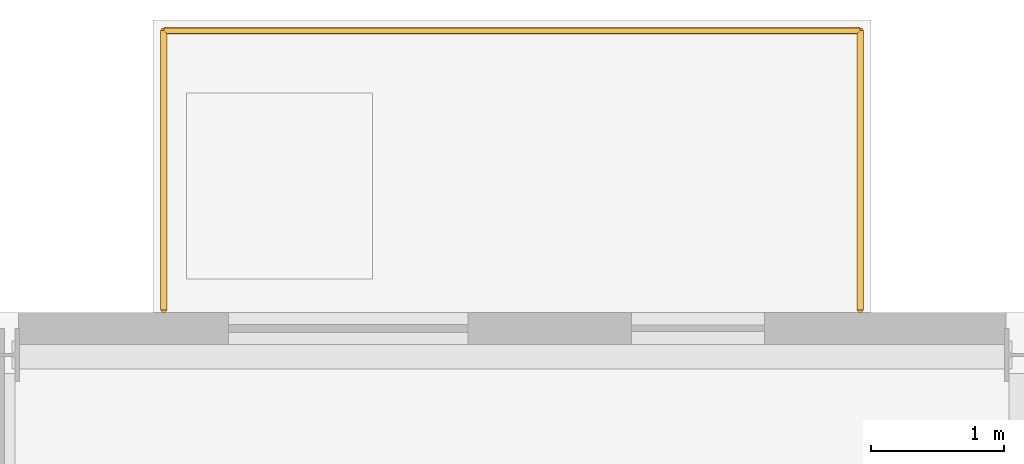
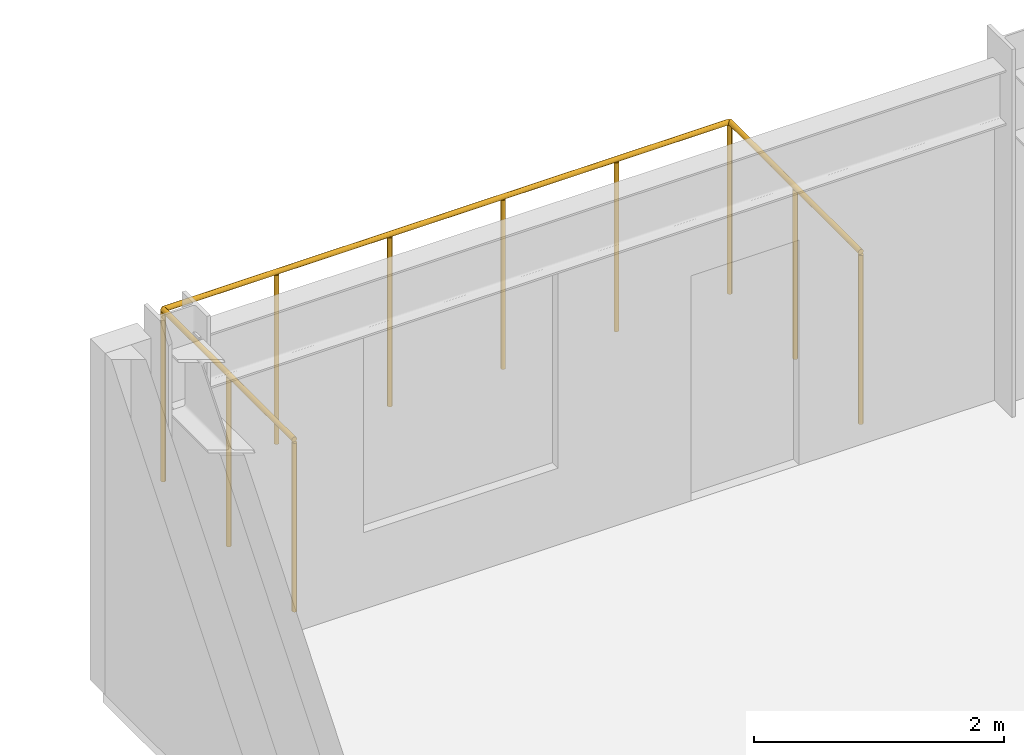
# One storey, part 32 of 32: 1 railing.
"""IFC4 building model written with IfcOpenShell, lengths in metres."""

from ifc_helpers import new_model, si_unit, direction, frame, origin, origin_2d, place, context, subcontext, project, spatial, circle, extrude, material, type_object, element, save


model = new_model("IFC4")

# Units and contexts
model_context = context("Model", 3, precision=1e-05, world=origin(), true_north=direction((0.0, 1.0)))
body_context = subcontext(model_context, "Body", "Model", "MODEL_VIEW")
ifc_project = project(units=[si_unit("LENGTHUNIT", "METRE"), si_unit("AREAUNIT", "SQUARE_METRE"), si_unit("VOLUMEUNIT", "CUBIC_METRE"), si_unit("PLANEANGLEUNIT", "RADIAN"), si_unit("MASSUNIT", "GRAM", prefix="KILO")], contexts=[model_context])

# Site, building, storey
site_placement = place(None, origin())
site = spatial("IfcSite", under=ifc_project, at=site_placement, CompositionType="ELEMENT")
building_placement = place(site_placement, origin())
building = spatial("IfcBuilding", under=site, at=building_placement, Name="Drelvath Grand Hotel", CompositionType="ELEMENT")
storey_placement = place(building_placement, frame((0.0, 0.0, 223.10009765625)))
storey = spatial("IfcBuildingStorey", under=building, at=storey_placement, Name="L58", CompositionType="ELEMENT", Elevation=223.10009765625)

# Railing
ifc_material = material(Name="Anodised Aluminium and Laminated Glass Balustrade", Category="aluminium")
railing_type = type_object("IfcRailingType", Name="Raised Planter Edge Balustrade 1700", PredefinedType="BALUSTRADE", material=ifc_material)
railing_placement = place(storey_placement, frame((-14.919921875, 49.219970703125, 0.0)))
element("IfcRailing", 1, at=railing_placement, inside=storey, type_object=railing_type, Name="L58 Tree Balcony Perimeter Balustrade 1", PredefinedType="BALUSTRADE", context=body_context, shape_type="SweptSolid", body=[
    extrude(circle(Radius=0.02392578125, at=origin_2d()), frame((0.0, 0.0, 1.67578125), z_axis=(0.0, 1.0, 0.0), x_axis=(-1.0, 0.0, 0.0)), (0.0, 0.0, 1.0), 2.10009765625),
    extrude(circle(Radius=0.02392578125, at=origin_2d()), frame((0.0, 2.10009765625, 1.67578125), z_axis=(1.0, 0.0, 0.0), x_axis=(0.0, 1.0, 0.0)), (0.0, 0.0, 1.0), 5.239990234375),
    extrude(circle(Radius=0.02392578125, at=origin_2d()), frame((5.239990234375, 2.10009765625, 1.67578125), z_axis=(0.0, -1.0, 0.0), x_axis=(1.0, 0.0, 0.0)), (0.0, 0.0, 1.0), 2.10009765625),
    extrude(circle(Radius=0.02099609375, at=origin_2d()), origin(), (0.0, 0.0, 1.0), 1.65185546875),
    extrude(circle(Radius=0.02099609375, at=origin_2d()), frame((0.0, 1.050048828125, 0.0)), (0.0, 0.0, 1.0), 1.65185546875),
    extrude(circle(Radius=0.02099609375, at=origin_2d()), frame((0.0, 2.10009765625, 0.0)), (0.0, 0.0, 1.0), 1.65185546875),
    extrude(circle(Radius=0.02099609375, at=origin_2d()), frame((1.048095703125, 2.10009765625, 0.0)), (0.0, 0.0, 1.0), 1.65185546875),
    extrude(circle(Radius=0.02099609375, at=origin_2d()), frame((2.095947265625, 2.10009765625, 0.0)), (0.0, 0.0, 1.0), 1.65185546875),
    extrude(circle(Radius=0.02099609375, at=origin_2d()), frame((3.14404296875, 2.10009765625, 0.0)), (0.0, 0.0, 1.0), 1.65185546875),
    extrude(circle(Radius=0.02099609375, at=origin_2d()), frame((4.19189453125, 2.10009765625, 0.0)), (0.0, 0.0, 1.0), 1.65185546875),
    extrude(circle(Radius=0.02099609375, at=origin_2d()), frame((5.239990234375, 2.10009765625, 0.0)), (0.0, 0.0, 1.0), 1.65185546875),
    extrude(circle(Radius=0.02099609375, at=origin_2d()), frame((5.239990234375, 1.050048828125, 0.0)), (0.0, 0.0, 1.0), 1.65185546875),
    extrude(circle(Radius=0.02099609375, at=origin_2d()), frame((5.239990234375, 0.0, 0.0)), (0.0, 0.0, 1.0), 1.65185546875),
])

save(model, "model.ifc")
